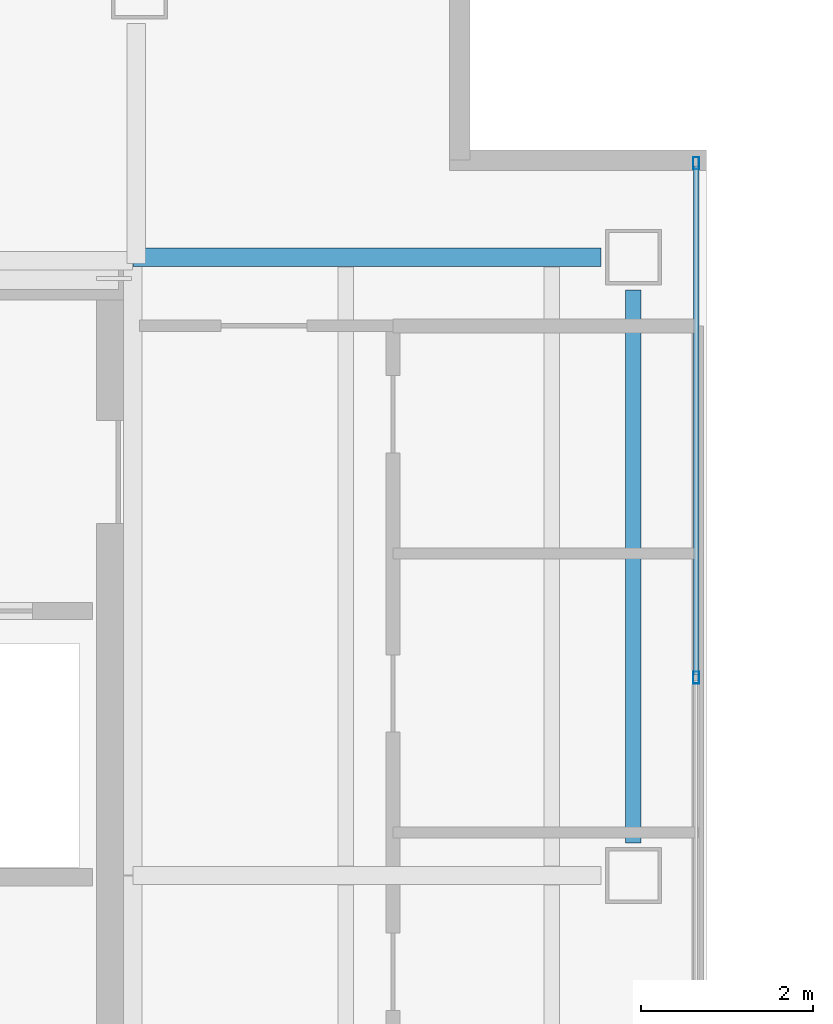
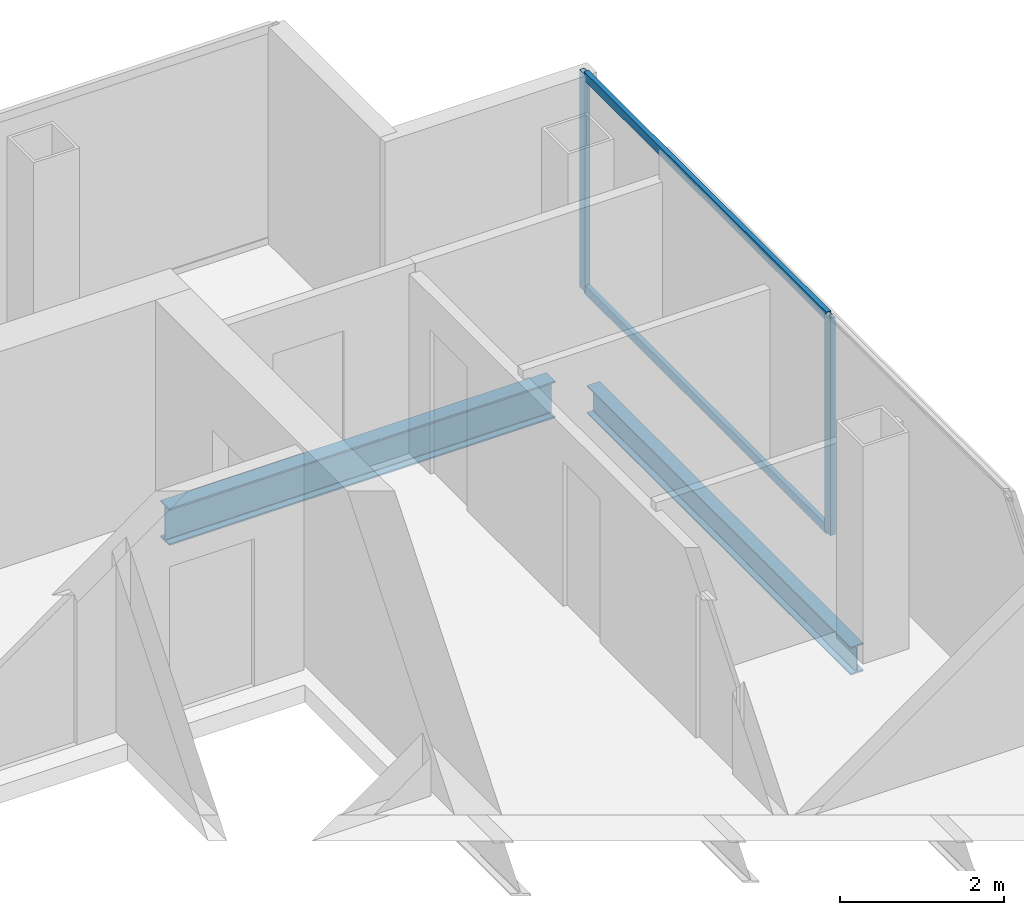
# One storey, part 11 of 24: 4 members, 2 beams, 1 element without a shape of its own.
"""IFC4 building model written with IfcOpenShell, lengths in metres."""

import ifcopenshell
import ifcopenshell.guid

model = None  # the IFC model being written
_history = None  # IfcOwnerHistory: only IFC2X3 demands one
_inside = {}  # id of a spatial element -> (the spatial element, [elements in it])
_under = {}  # id of a project, library or spatial element -> (it, [spatial elements below it])
_declared = {}  # id of a project -> (the project, [libraries it declares])
_typed = {}  # id of a type object -> (the type object, [elements of that type])
_made_of = {}  # id of a material, layer set ... -> (it, [elements and type objects made of it])


def new_model(schema):
    """Start an empty IFC model of exactly this schema.

    Asked for "IFC4X3", IfcOpenShell would pick the latest addendum, in which some entities
    have other attributes; the version numbers below select the first issue.
    IFC2X3 requires an IfcOwnerHistory on every rooted entity: one is made here for all.
    """
    global model, _history
    if schema == "IFC4X3":
        model = ifcopenshell.file(schema_version=(4, 3, 0, 0))
    else:
        model = ifcopenshell.file(schema=schema)
    _inside.clear()
    _under.clear()
    _declared.clear()
    _typed.clear()
    _made_of.clear()
    _history = None
    if model.schema == "IFC2X3":
        org = make("IfcOrganization", Name="unknown")
        user = make(
            "IfcPersonAndOrganization",
            ThePerson=make("IfcPerson", FamilyName="unknown"),
            TheOrganization=org,
        )
        app = make(
            "IfcApplication",
            ApplicationDeveloper=org,
            Version="unknown",
            ApplicationFullName="unknown",
            ApplicationIdentifier="unknown",
        )
        _history = make(
            "IfcOwnerHistory",
            OwningUser=user,
            OwningApplication=app,
            ChangeAction="ADDED",
            CreationDate=0,
        )
    return model


def make(cls, **values):
    """One entity of the class cls with the attributes given. An attribute that is None is left unset."""
    return model.create_entity(
        cls, **{name: value for name, value in values.items() if value is not None}
    )


def rooted(cls, **values):
    """An entity with a GlobalId (a new one), such as an element, a storey or a relation."""
    return make(cls, GlobalId=ifcopenshell.guid.new(), OwnerHistory=_history, **values)


def si_unit(unit_type, name, prefix=None):
    """IfcSIUnit, for example si_unit("LENGTHUNIT", "METRE", prefix="MILLI")."""
    return make("IfcSIUnit", UnitType=unit_type, Prefix=prefix, Name=name)


def assignment(units):
    """IfcUnitAssignment: the units of a project."""
    return None if units is None else make("IfcUnitAssignment", Units=units)


def point(xyz):
    """IfcCartesianPoint."""
    return None if xyz is None else make("IfcCartesianPoint", Coordinates=xyz)


def direction(xyz):
    """IfcDirection."""
    return None if xyz is None else make("IfcDirection", DirectionRatios=xyz)


def frame(location, z_axis=None, x_axis=None):
    """IfcAxis2Placement3D, a coordinate frame: its origin and axes. An axis left out is left unset."""
    return make(
        "IfcAxis2Placement3D",
        Location=point(location),
        Axis=direction(z_axis),
        RefDirection=direction(x_axis),
    )


def frame_2d(location, x_axis=None):
    """IfcAxis2Placement2D, a coordinate frame in the plane: its origin and x axis."""
    return make(
        "IfcAxis2Placement2D", Location=point(location), RefDirection=direction(x_axis)
    )


def origin():
    """The frame at (0, 0, 0) with its axes left unset."""
    return frame((0.0, 0.0, 0.0))


def origin_2d():
    """The frame at (0, 0) in the plane with its x axis left unset."""
    return frame_2d((0.0, 0.0))


def place(relative_to, where):
    """IfcLocalPlacement: puts the frame where relative to a parent placement (None: the world)."""
    return make(
        "IfcLocalPlacement", PlacementRelTo=relative_to, RelativePlacement=where
    )


def context(
    kind, dimensions, precision=None, world=None, true_north=None, identifier=None
):
    """IfcGeometricRepresentationContext, for example the 3D "Model" context."""
    return make(
        "IfcGeometricRepresentationContext",
        ContextIdentifier=identifier,
        ContextType=kind,
        CoordinateSpaceDimension=dimensions,
        Precision=precision,
        WorldCoordinateSystem=world,
        TrueNorth=true_north,
    )


def subcontext(parent, identifier, kind, view, scale=None):
    """IfcGeometricRepresentationSubContext, for example "Body" below "Model"."""
    return make(
        "IfcGeometricRepresentationSubContext",
        ContextIdentifier=identifier,
        ContextType=kind,
        ParentContext=parent,
        TargetScale=scale,
        TargetView=view,
    )


def project(units=None, contexts=None):
    """IfcProject with its units and contexts."""
    return rooted(
        "IfcProject",
        Name="project",
        RepresentationContexts=contexts,
        UnitsInContext=assignment(units),
    )


def spatial(cls, under=None, at=None, **own):
    """A site, building, storey or space (cls), placed at a placement, below another one or the project."""
    s = rooted(cls, ObjectPlacement=at, **own)
    if under is not None:
        _under.setdefault(under.id(), (under, []))[1].append(s)
    return s


def profile(cls, at=None, kind="AREA", **sizes):
    """A parametric profile (cls). Its sizes go by their IFC names, for example OverallWidth=200.0."""
    return make(cls, ProfileType=kind, Position=at, **sizes)


def hollow_rectangle(**sizes):
    """IfcRectangleHollowProfileDef."""
    return profile("IfcRectangleHollowProfileDef", **sizes)


def i_section(**sizes):
    """IfcIShapeProfileDef."""
    return profile("IfcIShapeProfileDef", **sizes)


def extrude(swept, where, along, depth):
    """IfcExtrudedAreaSolid: the profile swept, set in the frame where, extruded along a direction by depth."""
    return make(
        "IfcExtrudedAreaSolid",
        SweptArea=swept,
        Position=where,
        ExtrudedDirection=direction(along),
        Depth=depth,
    )


def shape(context_of_items, identifier, shape_type, items):
    """IfcShapeRepresentation: the items that make up one representation, for example the "Body"."""
    return make(
        "IfcShapeRepresentation",
        ContextOfItems=context_of_items,
        RepresentationIdentifier=identifier,
        RepresentationType=shape_type,
        Items=items,
    )


def material(Name=None, Category=None):
    """IfcMaterial."""
    return make("IfcMaterial", Name=Name, Category=Category)


def material_profile(
    of_material, cross_section, Name=None, Category=None, Priority=None
):
    """IfcMaterialProfile: a cross section and its material."""
    return make(
        "IfcMaterialProfile",
        Name=Name,
        Material=of_material,
        Profile=cross_section,
        Priority=Priority,
        Category=Category,
    )


def profile_set(profiles, Name=None, composite=None):
    """IfcMaterialProfileSet."""
    return make(
        "IfcMaterialProfileSet",
        Name=Name,
        MaterialProfiles=profiles,
        CompositeProfile=composite,
    )


def made_of(thing, what):
    """Note that an element or type object is made of a material, layer set ...; save() writes the relation."""
    if what is not None:
        _made_of.setdefault(what.id(), (what, []))[1].append(thing)
    return thing


def type_object(cls, material=None, **own):
    """A type object (cls), such as IfcWallType, which elements share."""
    return made_of(rooted(cls, **own), material)


def element(
    cls,
    number,
    at=None,
    inside=None,
    cuts=None,
    type_object=None,
    material=None,
    context=None,
    identifier="Body",
    shape_type=None,
    held_by="IfcProductDefinitionShape",
    body=None,
    shapes=None,
    **own,
):
    """One element of the class cls, such as IfcWall. Its Tag is "e" and its number.

    at: its placement. inside: the storey or other place that contains it. cuts: it is an
    opening in that element (IfcRelVoidsElement). A single representation is given by context,
    identifier, shape_type and body (its items); several are given by shapes. held_by: the class
    of the entity that holds the representations. save() writes the other relations.
    """
    e = rooted(cls, Tag="e%d" % number, ObjectPlacement=at, **own)
    if body is not None:
        shapes = [shape(context, identifier, shape_type, body)]
    if shapes is not None:
        e.Representation = make(held_by, Representations=shapes)
    if inside is not None:
        _inside.setdefault(inside.id(), (inside, []))[1].append(e)
    if cuts is not None:
        rooted(
            "IfcRelVoidsElement", RelatingBuildingElement=cuts, RelatedOpeningElement=e
        )
    if type_object is not None:
        _typed.setdefault(type_object.id(), (type_object, []))[1].append(e)
    return made_of(e, material)


def aggregate(whole, parts):
    """IfcRelAggregates: a whole, such as a stair, and the parts it consists of."""
    return rooted("IfcRelAggregates", RelatingObject=whole, RelatedObjects=parts)


def save(model, path):
    """Write the relations noted so far, then the file.

    IfcRelAggregates (storeys below a building ...), IfcRelContainedInSpatialStructure (elements
    in a storey), IfcRelDefinesByType, IfcRelAssociatesMaterial and IfcRelDeclares: one each for
    every whole, place, type object, material and project.
    """
    for whole, parts in _under.values():
        aggregate(whole, parts)
    for where, things in _inside.values():
        rooted(
            "IfcRelContainedInSpatialStructure",
            RelatedElements=things,
            RelatingStructure=where,
        )
    for kind, things in _typed.values():
        rooted("IfcRelDefinesByType", RelatedObjects=things, RelatingType=kind)
    for what, things in _made_of.values():
        rooted("IfcRelAssociatesMaterial", RelatedObjects=things, RelatingMaterial=what)
    for by, libraries in _declared.values():
        rooted("IfcRelDeclares", RelatingContext=by, RelatedDefinitions=libraries)
    model.write(path)


model = new_model("IFC4")

# Units and contexts
model_context = context("Model", 3, precision=1e-05, world=origin(), true_north=direction((0.0, 1.0)))
body_context = subcontext(model_context, "Body", "Model", "MODEL_VIEW")
ifc_project = project(units=[si_unit("LENGTHUNIT", "METRE"), si_unit("AREAUNIT", "SQUARE_METRE"), si_unit("VOLUMEUNIT", "CUBIC_METRE"), si_unit("PLANEANGLEUNIT", "RADIAN"), si_unit("MASSUNIT", "GRAM", prefix="KILO")], contexts=[model_context])

# Site, building, storey
site_placement = place(None, origin())
site = spatial("IfcSite", under=ifc_project, at=site_placement, CompositionType="ELEMENT")
building_placement = place(site_placement, origin())
building = spatial("IfcBuilding", under=site, at=building_placement, Name="Cobrela Telecom Tower", CompositionType="ELEMENT")
storey_placement = place(building_placement, frame((0.0, 0.0, 241.14990234375)))
storey = spatial("IfcBuildingStorey", under=building, at=storey_placement, Name="L62", CompositionType="ELEMENT", Elevation=241.14990234375)

# Beams
ifc_material_1 = material(Name="Steel ASTM A992 Grade 50", Category="steel")
ifc_material_profile_1 = material_profile(ifc_material_1, i_section(OverallWidth=0.212890625, OverallDepth=0.549072265625, WebThickness=0.0146484375, FlangeThickness=0.023681640625, FilletRadius=0.013916015625, at=origin_2d()), Name="W21X93")
ifc_profile_set_1 = profile_set([ifc_material_profile_1], Name="Steel ASTM A992 Grade 50")
beam_type_1 = type_object("IfcBeamType", Name="BM-GIRD-08", PredefinedType="USERDEFINED", material=ifc_profile_set_1)
beam_1_placement = place(storey_placement, frame((14.324951171875, 36.0, -0.534423828125), z_axis=(1.0, 0.0, 0.0), x_axis=(0.0, 1.0, 0.0)))
element("IfcBeam", 1, at=beam_1_placement, inside=storey, type_object=beam_type_1, Name="L62 Primary Girder X16", ObjectType="GIRDER", PredefinedType="USERDEFINED", context=body_context, shape_type="SweptSolid", body=[
    extrude(i_section(OverallWidth=0.212890625, OverallDepth=0.549072265625, WebThickness=0.0146484375, FlangeThickness=0.023681640625, FilletRadius=0.013916015625, at=origin_2d()), origin(), (0.0, 0.0, 1.0), 5.445068359375),
])
ifc_material_profile_2 = material_profile(ifc_material_1, i_section(OverallWidth=0.179931640625, OverallDepth=0.4169921875, WebThickness=0.010986328125, FlangeThickness=0.01806640625, FilletRadius=0.011962890625, at=origin_2d()), Name="W16X57")
ifc_profile_set_2 = profile_set([ifc_material_profile_2], Name="Steel ASTM A992 Grade 50")
beam_type_2 = type_object("IfcBeamType", Name="BM-SPAND-06", PredefinedType="SPANDREL", material=ifc_profile_set_2)
beam_2_placement = place(storey_placement, frame((20.14990234375, 29.179931640625, -0.468505859375), z_axis=(0.0, 1.0, 0.0), x_axis=(-1.0, 0.0, 0.0)))
element("IfcBeam", 2, at=beam_2_placement, inside=storey, type_object=beam_type_2, Name="L62 Perimeter Spandrel Y24", PredefinedType="SPANDREL", context=body_context, shape_type="SweptSolid", body=[
    extrude(i_section(OverallWidth=0.179931640625, OverallDepth=0.4169921875, WebThickness=0.010986328125, FlangeThickness=0.01806640625, FilletRadius=0.011962890625, at=origin_2d()), origin(), (0.0, 0.0, 1.0), 6.440185546875),
])

# Curtain wall, members
ifc_material_2 = material(Name="Anodized Bronze Aluminium 6063-T6", Category="aluminium")
curtain_wall_type = type_object("IfcCurtainWallType", Name="CW-SYS-OFF-HI", PredefinedType="USERDEFINED", material=ifc_material_2)
curtain_wall_placement = place(storey_placement, origin())
curtain_wall = element("IfcCurtainWall", 3, at=curtain_wall_placement, inside=storey, type_object=curtain_wall_type, Name="L62 Unitised Bronze Curtain Wall 08", ObjectType="UNITISED CURTAIN WALL", PredefinedType="USERDEFINED")
ifc_material_profile_3 = material_profile(ifc_material_2, hollow_rectangle(XDim=0.070068359375, YDim=0.139892578125, WallThickness=0.00390625, at=origin_2d()), Name="ALU 70x140x4")
ifc_profile_set_3 = profile_set([ifc_material_profile_3], Name="Anodized Bronze Aluminium 6063-T6")
member_type_1 = type_object("IfcMemberType", Name="CW-SYS-OFF-HI-MUL", PredefinedType="MULLION", material=ifc_profile_set_3)
member_1_placement = place(storey_placement, frame((20.8798828125, 37.094970703125, 0.0), z_axis=(0.0, 0.0, 1.0), x_axis=(1.0, 0.0, 0.0)))
member_1 = element("IfcMember", 4, at=member_1_placement, type_object=member_type_1, Name="CW-OFF-HI mullion 1", PredefinedType="MULLION", context=body_context, shape_type="SweptSolid", body=[
    extrude(hollow_rectangle(XDim=0.070068359375, YDim=0.139892578125, WallThickness=0.00390625, at=origin_2d()), origin(), (0.0, 0.0, 1.0), 3.239990234375),
])
member_2_placement = place(storey_placement, frame((20.8798828125, 31.10498046875, 0.0), z_axis=(0.0, 0.0, 1.0), x_axis=(1.0, 0.0, 0.0)))
member_2 = element("IfcMember", 5, at=member_2_placement, type_object=member_type_1, Name="CW-OFF-HI mullion 2", PredefinedType="MULLION", context=body_context, shape_type="SweptSolid", body=[
    extrude(hollow_rectangle(XDim=0.070068359375, YDim=0.139892578125, WallThickness=0.00390625, at=origin_2d()), origin(), (0.0, 0.0, 1.0), 3.239990234375),
])
ifc_material_profile_4 = material_profile(ifc_material_2, hollow_rectangle(XDim=0.06494140625, YDim=0.1298828125, WallThickness=0.00390625, at=origin_2d()), Name="ALU 65x130x4")
ifc_profile_set_4 = profile_set([ifc_material_profile_4], Name="Anodized Bronze Aluminium 6063-T6")
member_type_2 = type_object("IfcMemberType", Name="CW-SYS-OFF-HI-TRN", PredefinedType="USERDEFINED", material=ifc_profile_set_4)
member_3_placement = place(storey_placement, frame((20.8798828125, 37.06005859375, 0.03271484375), z_axis=(0.0, -1.0, 0.0), x_axis=(1.0, 0.0, 0.0)))
member_3 = element("IfcMember", 6, at=member_3_placement, type_object=member_type_2, Name="CW-OFF-HI transom 1.1", ObjectType="TRANSOM", PredefinedType="USERDEFINED", context=body_context, shape_type="SweptSolid", body=[
    extrude(hollow_rectangle(XDim=0.06494140625, YDim=0.1298828125, WallThickness=0.00390625, at=origin_2d()), origin(), (0.0, 0.0, 1.0), 5.920166015625),
])
member_4_placement = place(storey_placement, frame((20.8798828125, 37.06005859375, 3.20751953125), z_axis=(0.0, -1.0, 0.0), x_axis=(1.0, 0.0, 0.0)))
member_4 = element("IfcMember", 7, at=member_4_placement, type_object=member_type_2, Name="CW-OFF-HI transom 1.2", ObjectType="TRANSOM", PredefinedType="USERDEFINED", context=body_context, shape_type="SweptSolid", body=[
    extrude(hollow_rectangle(XDim=0.06494140625, YDim=0.1298828125, WallThickness=0.00390625, at=origin_2d()), origin(), (0.0, 0.0, 1.0), 5.920166015625),
])
aggregate(curtain_wall, [member_1, member_2, member_3, member_4])

save(model, "model.ifc")
